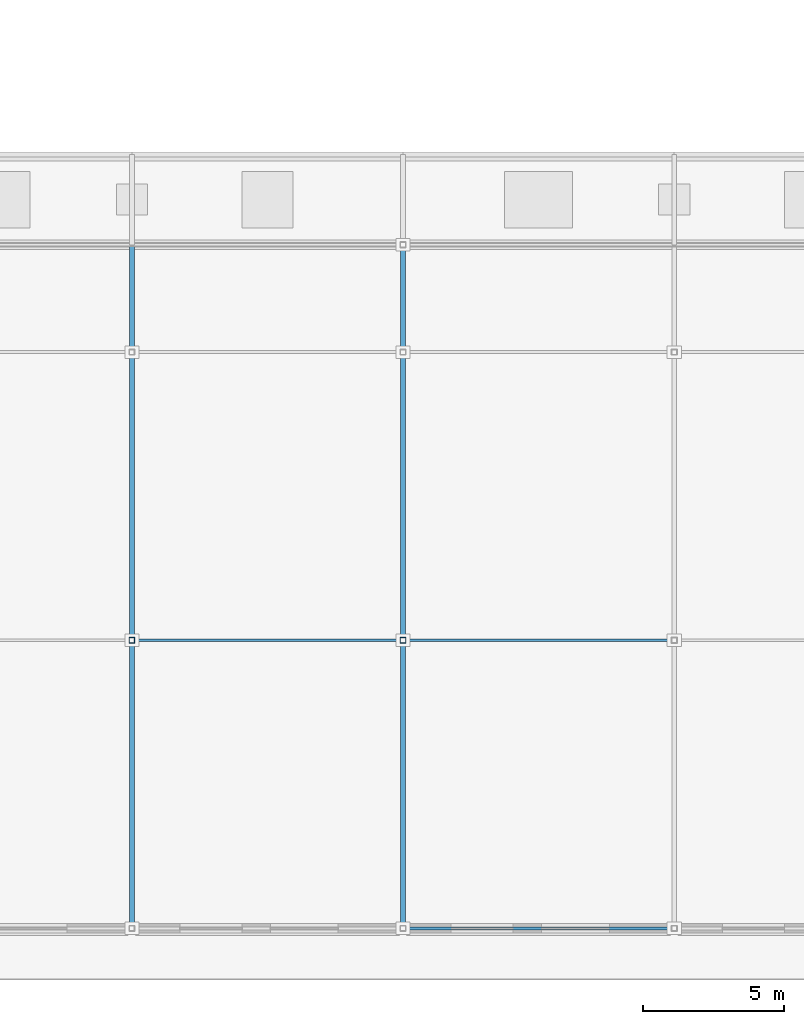
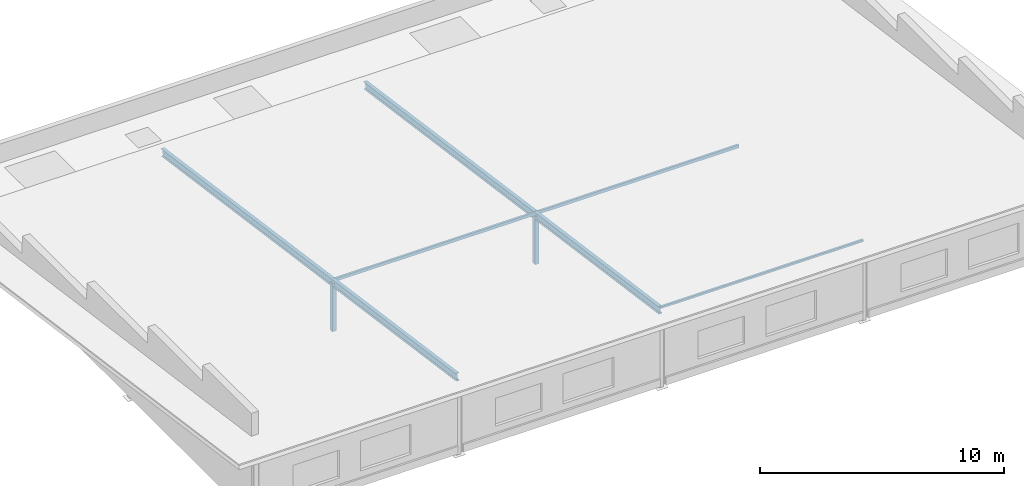
# One storey, part 29 of 70: 7 members.
"""IFC4 building model written with IfcOpenShell, lengths in metres."""

from ifc_helpers import new_model, si_unit, direction, frame, origin, origin_2d, place, context, subcontext, project, spatial, hollow_rectangle, i_section, extrude, material, material_profile, profile_set, type_object, element, save


model = new_model("IFC4")

# Units and contexts
model_context = context("Model", 3, precision=1e-05, world=origin(), true_north=direction((0.0, 1.0)))
body_context = subcontext(model_context, "Body", "Model", "MODEL_VIEW")
ifc_project = project(units=[si_unit("LENGTHUNIT", "METRE"), si_unit("AREAUNIT", "SQUARE_METRE"), si_unit("VOLUMEUNIT", "CUBIC_METRE"), si_unit("PLANEANGLEUNIT", "RADIAN"), si_unit("MASSUNIT", "GRAM", prefix="KILO")], contexts=[model_context])

# Site, building, storey
site_placement = place(None, origin())
site = spatial("IfcSite", under=ifc_project, at=site_placement, CompositionType="ELEMENT")
building_placement = place(site_placement, origin())
building = spatial("IfcBuilding", under=site, at=building_placement, Name="Vondelvale Polytechnic", CompositionType="ELEMENT")
storey_placement = place(building_placement, frame((0.0, 0.0, 22.199951171875)))
storey = spatial("IfcBuildingStorey", under=building, at=storey_placement, Name="L05", CompositionType="ELEMENT", Elevation=22.199951171875)

# Members
ifc_material_1 = material(Name="Steel C350L0 (fy = 350 MPa)", Category="steel")
ifc_material_profile_1 = material_profile(ifc_material_1, hollow_rectangle(XDim=0.10009765625, YDim=0.14990234375, WallThickness=0.0048828125, at=origin_2d()), Name="150x100x5.0RHS")
ifc_profile_set_1 = profile_set([ifc_material_profile_1], Name="Steel C350L0 (fy = 350 MPa)")
member_type_1 = type_object("IfcMemberType", Name="PURLIN RHS150", PredefinedType="PURLIN", material=ifc_profile_set_1)
member_1_placement = place(storey_placement, frame((144.0, 10.199951171875, 2.33056640625), z_axis=(1.0, 0.0, 0.0), x_axis=(0.0, 1.0, 0.0)))
element("IfcMember", 1, at=member_1_placement, inside=storey, type_object=member_type_1, Name="Lecture wing roof purlin", PredefinedType="PURLIN", context=body_context, shape_type="SweptSolid", body=[
    extrude(hollow_rectangle(XDim=0.10009765625, YDim=0.14990234375, WallThickness=0.0048828125, at=origin_2d()), origin(), (0.0, 0.0, 1.0), 9.60009765625),
])
member_2_placement = place(storey_placement, frame((153.60009765625, 10.199951171875, 2.33056640625), z_axis=(1.0, 0.0, 0.0), x_axis=(0.0, 1.0, 0.0)))
element("IfcMember", 2, at=member_2_placement, inside=storey, type_object=member_type_1, Name="Lecture wing roof purlin", PredefinedType="PURLIN", context=body_context, shape_type="SweptSolid", body=[
    extrude(hollow_rectangle(XDim=0.10009765625, YDim=0.14990234375, WallThickness=0.0048828125, at=origin_2d()), origin(), (0.0, 0.0, 1.0), 9.599853515625),
])
ifc_material_profile_2 = material_profile(ifc_material_1, hollow_rectangle(XDim=0.10009765625, YDim=0.10009765625, WallThickness=0.0048828125, at=origin_2d()), Name="100x100x5.0SHS")
ifc_profile_set_2 = profile_set([ifc_material_profile_2], Name="Steel C350L0 (fy = 350 MPa)")
member_type_2 = type_object("IfcMemberType", Name="PURLIN SHS100", PredefinedType="PURLIN", material=ifc_profile_set_2)
member_3_placement = place(storey_placement, frame((153.60009765625, 0.0, 3.787353515625), z_axis=(1.0, 0.0, 0.0), x_axis=(0.0, 1.0, 0.0)))
element("IfcMember", 3, at=member_3_placement, inside=storey, type_object=member_type_2, Name="Lecture wing roof purlin", PredefinedType="PURLIN", context=body_context, shape_type="SweptSolid", body=[
    extrude(hollow_rectangle(XDim=0.10009765625, YDim=0.10009765625, WallThickness=0.0048828125, at=origin_2d()), origin(), (0.0, 0.0, 1.0), 9.599853515625),
])
ifc_material_2 = material(Name="Steel 300PLUS (fy = 300 MPa)", Category="steel")
ifc_material_profile_3 = material_profile(ifc_material_2, i_section(OverallWidth=0.172119140625, OverallDepth=0.35888671875, WebThickness=0.008056640625, FlangeThickness=0.012939453125, FilletRadius=0.011474609375, at=origin_2d()), Name="360UB56.7")
ifc_profile_set_3 = profile_set([ifc_material_profile_3], Name="Steel 300PLUS (fy = 300 MPa)")
member_type_3 = type_object("IfcMemberType", Name="RAFTER UB360", PredefinedType="RAFTER", material=ifc_profile_set_3)
for number, where, z_axis, x_axis, name in (
    (4, (144.0, 0.0, 3.6591796875), (0.0, 0.990289851444, -0.139018020871), (-1.0, 0.0, 0.0), "Lecture wing raking roof rafter"),
    (5, (153.60009765625, 0.0, 3.6591796875), (0.0, 0.990289851444, -0.139018020871), (-1.0, 0.0, 0.0), "Lecture wing raking roof rafter"),
):
    element("IfcMember", number, at=place(storey_placement, frame(where, z_axis=z_axis, x_axis=x_axis)), inside=storey, type_object=member_type_3, Name=name, PredefinedType="RAFTER", context=body_context, shape_type="SweptSolid", body=[
        extrude(i_section(OverallWidth=0.172119140625, OverallDepth=0.35888671875, WebThickness=0.008056640625, FlangeThickness=0.012939453125, FilletRadius=0.011474609375, at=origin_2d()), origin(), (0.0, 0.0, 1.0), 24.437255859375),
    ])
ifc_material_profile_4 = material_profile(ifc_material_1, hollow_rectangle(XDim=0.199951171875, YDim=0.199951171875, WallThickness=0.009033203125, at=origin_2d()), Name="200x200x9.0SHS")
ifc_profile_set_4 = profile_set([ifc_material_profile_4], Name="Steel C350L0 (fy = 350 MPa)")
member_type_4 = type_object("IfcMemberType", Name="ROOF TRUSS POST 200SHS", PredefinedType="POST", material=ifc_profile_set_4)
for number, where, z_axis, x_axis, name in (
    (6, (144.0, 10.199951171875, -0.179931640625), (0.0, 0.0, 1.0), (1.0, 0.0, 0.0), "Lecture wing roof post"),
    (7, (153.60009765625, 10.199951171875, -0.179931640625), (0.0, 0.0, 1.0), (1.0, 0.0, 0.0), "Lecture wing roof post"),
):
    element("IfcMember", number, at=place(storey_placement, frame(where, z_axis=z_axis, x_axis=x_axis)), inside=storey, type_object=member_type_4, Name=name, PredefinedType="POST", context=body_context, shape_type="SweptSolid", body=[
        extrude(hollow_rectangle(XDim=0.199951171875, YDim=0.199951171875, WallThickness=0.009033203125, at=origin_2d()), origin(), (0.0, 0.0, 1.0), 2.4072265625),
    ])

save(model, "model.ifc")
